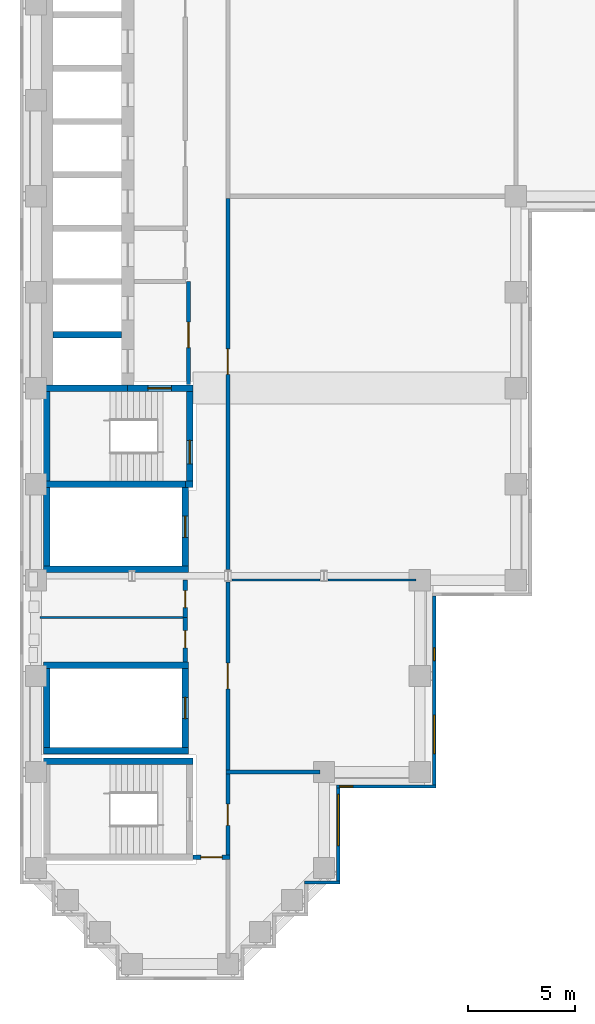
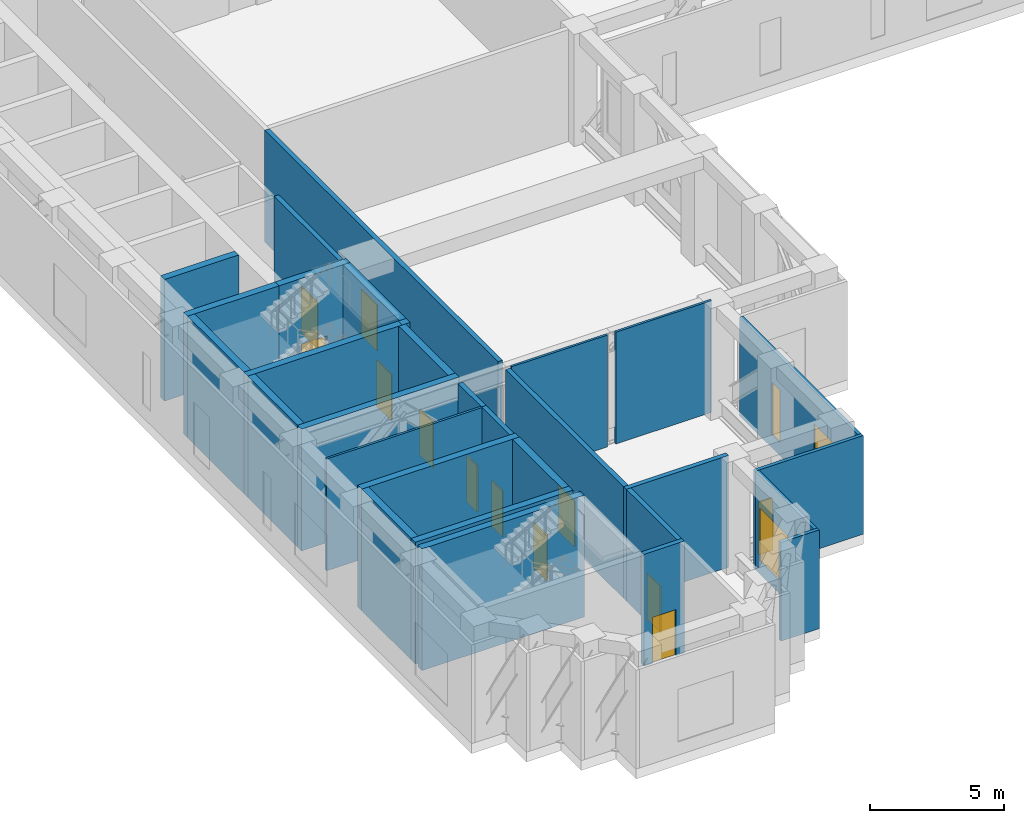
# One storey, part 5 of 14: 30 walls, 11 doors, 4 windows, 15 openings.
"""IFC4 building model written with IfcOpenShell, lengths in metres."""

from ifc_helpers import new_model, si_unit, direction, frame, frame_2d, origin, place, context, subcontext, project, spatial, rectangle, extrude, material, layer, layer_set, type_object, element, fill, save


model = new_model("IFC4")

# Units and contexts
model_context = context("Model", 3, precision=1e-05, world=origin(), true_north=direction((0.0, 1.0)))
body_context = subcontext(model_context, "Body", "Model", "MODEL_VIEW")
ifc_project = project(units=[si_unit("LENGTHUNIT", "METRE"), si_unit("AREAUNIT", "SQUARE_METRE"), si_unit("VOLUMEUNIT", "CUBIC_METRE"), si_unit("PLANEANGLEUNIT", "RADIAN"), si_unit("MASSUNIT", "GRAM", prefix="KILO")], contexts=[model_context])

# Site, building, storey
site_placement = place(None, origin())
site = spatial("IfcSite", under=ifc_project, at=site_placement, CompositionType="ELEMENT")
building_placement = place(site_placement, origin())
building = spatial("IfcBuilding", under=site, at=building_placement, Name="Firuza Court", CompositionType="ELEMENT")
storey_placement = place(building_placement, frame((0.0, 0.0, 173.60009765625)))
storey = spatial("IfcBuildingStorey", under=building, at=storey_placement, Name="L44", CompositionType="ELEMENT", Elevation=173.60009765625)

# Walls
ifc_material_1 = material(Name="Moisture-resistant gypsum board partition")
ifc_layer_1 = layer(ifc_material_1, 0.10009765625)
ifc_layer_set_1 = layer_set([ifc_layer_1], Name="Moisture-resistant gypsum board partition")
wall_type_1 = type_object("IfcWallType", Name="Bathroom partition 100", PredefinedType="PLUMBINGWALL", material=ifc_layer_set_1)
wall_1_placement = place(storey_placement, frame((0.19140625, 16.25, 0.0), z_axis=(0.0, 0.0, 1.0), x_axis=(1.0, 0.0, 0.0)))
element("IfcWall", 1, at=wall_1_placement, inside=storey, type_object=wall_type_1, Name="Bathroom partition 100 L44", PredefinedType="PLUMBINGWALL", context=body_context, shape_type="SweptSolid", body=[
    extrude(rectangle(XDim=6.70849609375, YDim=0.10009765625, at=frame_2d((3.354248046875, 0.0))), origin(), (0.0, 0.0, 1.0), 5.099853515625),
])
ifc_material_2 = material(Name="Concrete C60/75", Category="concrete")
ifc_layer_2 = layer(ifc_material_2, 0.300048828125)
ifc_layer_set_2 = layer_set([ifc_layer_2], Name="Concrete C60/75")
wall_type_2 = type_object("IfcWallType", Name="Core wall 300 C60/75", PredefinedType="SHEAR", material=ifc_layer_set_2)
wall_2_placement = place(storey_placement, frame((0.35009765625, 9.5, -0.4501953125), z_axis=(0.0, 0.0, 1.0), x_axis=(1.0, 0.0, 0.0)))
element("IfcWall", 2, at=wall_2_placement, inside=storey, type_object=wall_type_2, Name="Core wall stair L44", PredefinedType="SHEAR", context=body_context, shape_type="SweptSolid", body=[
    extrude(rectangle(XDim=7.0, YDim=0.300048828125, at=frame_2d((3.5, 0.0))), origin(), (0.0, 0.0, 1.0), 5.550048828125),
])
for number, where, z_axis, x_axis, name in (
    (3, (0.35009765625, 10.0, -0.4501953125), (0.0, 0.0, 1.0), (1.0, 0.0, 0.0), "Core wall riser L44"),
    (4, (0.35009765625, 14.0, -0.4501953125), (0.0, 0.0, 1.0), (1.0, 0.0, 0.0), "Core wall riser L44"),
    (5, (0.35009765625, 18.5, -0.4501953125), (0.0, 0.0, 1.0), (1.0, 0.0, 0.0), "Core wall riser L44"),
):
    element("IfcWall", number, at=place(storey_placement, frame(where, z_axis=z_axis, x_axis=x_axis)), inside=storey, type_object=wall_type_2, Name=name, PredefinedType="SHEAR", context=body_context, shape_type="SweptSolid", body=[
        extrude(rectangle(XDim=6.7998046875, YDim=0.300048828125, at=frame_2d((3.39990234375, 0.0))), origin(), (0.0, 0.0, 1.0), 5.550048828125),
    ])
wall_3_placement = place(storey_placement, frame((0.35009765625, 22.5, -0.4501953125), z_axis=(0.0, 0.0, 1.0), x_axis=(1.0, 0.0, 0.0)))
element("IfcWall", 6, at=wall_3_placement, inside=storey, type_object=wall_type_2, Name="Core wall riser L44", PredefinedType="SHEAR", context=body_context, shape_type="SweptSolid", body=[
    extrude(rectangle(XDim=6.64990234375, YDim=0.300048828125, at=frame_2d((3.324951171875, 0.0))), origin(), (0.0, 0.0, 1.0), 5.550048828125),
])
wall_4_placement = place(storey_placement, frame((0.35009765625, 27.0, -0.4501953125), z_axis=(0.0, 0.0, 1.0), x_axis=(1.0, 0.0, 0.0)))
element("IfcWall", 7, at=wall_4_placement, inside=storey, type_object=wall_type_2, Name="Core wall lift shaft L44", PredefinedType="SHEAR", context=body_context, shape_type="SweptSolid", body=[
    extrude(rectangle(XDim=3.949951171875, YDim=0.300048828125, at=frame_2d((1.97509765625, 0.0))), origin(), (0.0, 0.0, 1.0), 5.550048828125),
])
for number, where, z_axis, x_axis, name in (
    (8, (0.5, 10.14990234375, -0.4501953125), (0.0, 0.0, 1.0), (0.0, 1.0, 0.0), "Core wall riser L44"),
    (9, (0.5, 18.64990234375, -0.4501953125), (0.0, 0.0, 1.0), (0.0, 1.0, 0.0), "Core wall riser L44"),
):
    element("IfcWall", number, at=place(storey_placement, frame(where, z_axis=z_axis, x_axis=x_axis)), inside=storey, type_object=wall_type_2, Name=name, PredefinedType="SHEAR", context=body_context, shape_type="SweptSolid", body=[
        extrude(rectangle(XDim=3.7001953125, YDim=0.300048828125, at=frame_2d((1.85009765625, 0.0))), origin(), (0.0, 0.0, 1.0), 5.550048828125),
    ])
wall_5_placement = place(storey_placement, frame((0.5, 22.64990234375, -0.4501953125), z_axis=(0.0, 0.0, 1.0), x_axis=(0.0, 1.0, 0.0)))
element("IfcWall", 10, at=wall_5_placement, inside=storey, type_object=wall_type_2, Name="Core wall stair L44", PredefinedType="SHEAR", context=body_context, shape_type="SweptSolid", body=[
    extrude(rectangle(XDim=4.2001953125, YDim=0.300048828125, at=frame_2d((2.10009765625, 0.0))), origin(), (0.0, 0.0, 1.0), 5.550048828125),
])
wall_6_placement = place(storey_placement, frame((0.800048828125, 29.5, -0.4501953125), z_axis=(0.0, 0.0, 1.0), x_axis=(1.0, 0.0, 0.0)))
element("IfcWall", 11, at=wall_6_placement, inside=storey, type_object=wall_type_2, Name="Core wall lift shaft L44", PredefinedType="SHEAR", context=body_context, shape_type="SweptSolid", body=[
    extrude(rectangle(XDim=3.199951171875, YDim=0.300048828125, at=frame_2d((1.60009765625, 0.0))), origin(), (0.0, 0.0, 1.0), 5.550048828125),
])

# Wall, opening, door
wall_7_placement = place(storey_placement, frame((4.300048828125, 27.0, -0.4501953125), z_axis=(0.0, 0.0, 1.0), x_axis=(1.0, 0.0, 0.0)))
wall_7 = element("IfcWall", 12, at=wall_7_placement, inside=storey, type_object=wall_type_2, Name="Core wall stair L44", PredefinedType="SHEAR", context=body_context, shape_type="SweptSolid", body=[
    extrude(rectangle(XDim=3.050048828125, YDim=0.300048828125, at=frame_2d((1.52490234375, 0.0))), origin(), (0.0, 0.0, 1.0), 5.550048828125),
])
opening_1_placement = place(wall_7_placement, frame((0.949951171875, 0.0, 0.449951171875)))
opening_1 = element("IfcOpeningElement", 13, at=opening_1_placement, cuts=wall_7, Name="Opening D44013", PredefinedType="OPENING", context=body_context, shape_type="SweptSolid", body=[
    extrude(rectangle(XDim=1.10009765625, YDim=2.10009765625, at=frame_2d((0.550048828125, 1.050048828125))), frame((0.0, 0.162109375, 0.0), z_axis=(0.0, -1.0, 0.0), x_axis=(1.0, 0.0, 0.0)), (0.0, 0.0, 1.0), 0.323974609375),
])
ifc_material_3 = material(Name="Timber door leaf in hardwood frame", Category="wood")
door_type_1 = type_object("IfcDoorType", Name="Stair door 1100", OperationType="SINGLE_SWING_LEFT", PredefinedType="DOOR", material=ifc_material_3)
door_1_placement = place(opening_1_placement, frame((1.10009765625, 0.0, 0.0), z_axis=(0.0, 0.0, 1.0), x_axis=(-1.0, 0.0, 0.0)))
door_1 = element("IfcDoor", 14, at=door_1_placement, inside=storey, type_object=door_type_1, Name="Fire-fighting lobby door", OperationType="SINGLE_SWING_LEFT", OverallHeight=2.10009765625, OverallWidth=1.10009765625, PredefinedType="DOOR", context=body_context, shape_type="SweptSolid", body=[
    extrude(rectangle(XDim=1.10009765625, YDim=2.10009765625, at=frame_2d((0.550048828125, 1.050048828125))), frame((0.0, 0.02490234375, 0.0), z_axis=(0.0, -1.0, 0.0), x_axis=(1.0, 0.0, 0.0)), (0.0, 0.0, 1.0), 0.050048828125),
])
fill(opening_1, door_1)

wall_8_placement = place(storey_placement, frame((7.0, 10.14990234375, -0.4501953125), z_axis=(0.0, 0.0, 1.0), x_axis=(0.0, 1.0, 0.0)))
wall_8 = element("IfcWall", 15, at=wall_8_placement, inside=storey, type_object=wall_type_2, Name="Core wall riser L44", PredefinedType="SHEAR", context=body_context, shape_type="SweptSolid", body=[
    extrude(rectangle(XDim=3.7001953125, YDim=0.300048828125, at=frame_2d((1.85009765625, 0.0))), origin(), (0.0, 0.0, 1.0), 5.550048828125),
])
opening_2_placement = place(wall_8_placement, frame((1.35009765625, 0.0, 0.449951171875)))
opening_2 = element("IfcOpeningElement", 16, at=opening_2_placement, cuts=wall_8, Name="Opening D44011", PredefinedType="OPENING", context=body_context, shape_type="SweptSolid", body=[
    extrude(rectangle(XDim=1.0, YDim=2.10009765625, at=frame_2d((0.5, 1.050048828125))), frame((0.0, 0.162109375, 0.0), z_axis=(0.0, -1.0, 0.0), x_axis=(1.0, 0.0, 0.0)), (0.0, 0.0, 1.0), 0.323974609375),
])
ifc_material_4 = material(Name="Timber door leaf in hardwood frame", Category="wood")
door_type_2 = type_object("IfcDoorType", Name="Riser door 1000", OperationType="SINGLE_SWING_LEFT", PredefinedType="DOOR", material=ifc_material_4)
door_2_placement = place(opening_2_placement, origin())
door_2 = element("IfcDoor", 17, at=door_2_placement, inside=storey, type_object=door_type_2, Name="Riser door R4", OperationType="SINGLE_SWING_LEFT", OverallHeight=2.10009765625, OverallWidth=1.0, PredefinedType="DOOR", context=body_context, shape_type="SweptSolid", body=[
    extrude(rectangle(XDim=1.0, YDim=2.10009765625, at=frame_2d((0.5, 1.050048828125))), frame((0.0, 0.02490234375, 0.0), z_axis=(0.0, -1.0, 0.0), x_axis=(1.0, 0.0, 0.0)), (0.0, 0.0, 1.0), 0.050048828125),
])
fill(opening_2, door_2)

wall_9_placement = place(storey_placement, frame((7.0, 18.64990234375, -0.4501953125), z_axis=(0.0, 0.0, 1.0), x_axis=(0.0, 1.0, 0.0)))
wall_9 = element("IfcWall", 18, at=wall_9_placement, inside=storey, type_object=wall_type_2, Name="Core wall riser L44", PredefinedType="SHEAR", context=body_context, shape_type="SweptSolid", body=[
    extrude(rectangle(XDim=3.7001953125, YDim=0.300048828125, at=frame_2d((1.85009765625, 0.0))), origin(), (0.0, 0.0, 1.0), 5.550048828125),
])
opening_3_placement = place(wall_9_placement, frame((1.35009765625, 0.0, 0.449951171875)))
opening_3 = element("IfcOpeningElement", 19, at=opening_3_placement, cuts=wall_9, Name="Opening D44009", PredefinedType="OPENING", context=body_context, shape_type="SweptSolid", body=[
    extrude(rectangle(XDim=1.0, YDim=2.10009765625, at=frame_2d((0.5, 1.050048828125))), frame((0.0, 0.162109375, 0.0), z_axis=(0.0, -1.0, 0.0), x_axis=(1.0, 0.0, 0.0)), (0.0, 0.0, 1.0), 0.323974609375),
])
door_3_placement = place(opening_3_placement, origin())
door_3 = element("IfcDoor", 20, at=door_3_placement, inside=storey, type_object=door_type_2, Name="Riser door R1", OperationType="SINGLE_SWING_LEFT", OverallHeight=2.10009765625, OverallWidth=1.0, PredefinedType="DOOR", context=body_context, shape_type="SweptSolid", body=[
    extrude(rectangle(XDim=1.0, YDim=2.10009765625, at=frame_2d((0.5, 1.050048828125))), frame((0.0, 0.02490234375, 0.0), z_axis=(0.0, -1.0, 0.0), x_axis=(1.0, 0.0, 0.0)), (0.0, 0.0, 1.0), 0.050048828125),
])
fill(opening_3, door_3)

# Wall
wall_10_placement = place(storey_placement, frame((7.0, 22.5, -0.4501953125), z_axis=(0.0, 0.0, 1.0), x_axis=(1.0, 0.0, 0.0)))
element("IfcWall", 21, at=wall_10_placement, inside=storey, type_object=wall_type_2, Name="Core wall stair L44", PredefinedType="SHEAR", context=body_context, shape_type="SweptSolid", body=[
    extrude(rectangle(XDim=0.35009765625, YDim=0.300048828125, at=frame_2d((0.175048828125, 0.0))), origin(), (0.0, 0.0, 1.0), 5.550048828125),
])

# Wall, opening, door
wall_11_placement = place(storey_placement, frame((7.199951171875, 22.64990234375, -0.4501953125), z_axis=(0.0, 0.0, 1.0), x_axis=(0.0, 1.0, 0.0)))
wall_11 = element("IfcWall", 22, at=wall_11_placement, inside=storey, type_object=wall_type_2, Name="Core wall stair L44", PredefinedType="SHEAR", context=body_context, shape_type="SweptSolid", body=[
    extrude(rectangle(XDim=4.2001953125, YDim=0.300048828125, at=frame_2d((2.10009765625, 0.0))), origin(), (0.0, 0.0, 1.0), 5.550048828125),
])
opening_4_placement = place(wall_11_placement, frame((0.800048828125, 0.0, 0.449951171875)))
opening_4 = element("IfcOpeningElement", 23, at=opening_4_placement, cuts=wall_11, Name="Opening D44014", PredefinedType="OPENING", context=body_context, shape_type="SweptSolid", body=[
    extrude(rectangle(XDim=1.10009765625, YDim=2.10009765625, at=frame_2d((0.550048828125, 1.050048828125))), frame((0.0, 0.162109375, 0.0), z_axis=(0.0, -1.0, 0.0), x_axis=(1.0, 0.0, 0.0)), (0.0, 0.0, 1.0), 0.323974609375),
])
door_4_placement = place(opening_4_placement, origin())
door_4 = element("IfcDoor", 24, at=door_4_placement, inside=storey, type_object=door_type_1, Name="Stair door S2", OperationType="SINGLE_SWING_LEFT", OverallHeight=2.10009765625, OverallWidth=1.10009765625, PredefinedType="DOOR", context=body_context, shape_type="SweptSolid", body=[
    extrude(rectangle(XDim=1.10009765625, YDim=2.10009765625, at=frame_2d((0.550048828125, 1.050048828125))), frame((0.0, 0.02490234375, 0.0), z_axis=(0.0, -1.0, 0.0), x_axis=(1.0, 0.0, 0.0)), (0.0, 0.0, 1.0), 0.050048828125),
])
fill(opening_4, door_4)

ifc_material_5 = material(Name="Blockwork, plastered both sides", Category="masonry")
ifc_layer_3 = layer(ifc_material_5, 0.199951171875)
ifc_layer_set_3 = layer_set([ifc_layer_3], Name="Blockwork, plastered both sides")
wall_type_3 = type_object("IfcWallType", Name="Corridor wall 200", PredefinedType="PARTITIONING", material=ifc_layer_set_3)
wall_12_placement = place(storey_placement, frame((9.0, 9.10009765625, 0.0), z_axis=(0.0, 0.0, 1.0), x_axis=(0.0, 1.0, 0.0)))
wall_12 = element("IfcWall", 25, at=wall_12_placement, inside=storey, type_object=wall_type_3, Name="Corridor wall 200 L44", PredefinedType="PARTITIONING", context=body_context, shape_type="SweptSolid", body=[
    extrude(rectangle(XDim=8.806396484375, YDim=0.199951171875, at=frame_2d((4.4033203125, 0.0))), origin(), (0.0, 0.0, 1.0), 5.099853515625),
])
opening_5_placement = place(wall_12_placement, frame((3.80322265625, 0.0, 0.0)))
opening_5 = element("IfcOpeningElement", 26, at=opening_5_placement, cuts=wall_12, Name="Opening D44020", PredefinedType="OPENING", context=body_context, shape_type="SweptSolid", body=[
    extrude(rectangle(XDim=1.199951171875, YDim=2.10009765625, at=frame_2d((0.60009765625, 1.050048828125))), frame((0.0, 0.11181640625, 0.0), z_axis=(0.0, -1.0, 0.0), x_axis=(1.0, 0.0, 0.0)), (0.0, 0.0, 1.0), 0.223876953125),
])
ifc_material_6 = material(Name="Timber door leaf in hardwood frame", Category="wood")
door_type_3 = type_object("IfcDoorType", Name="Lobby door 1200", OperationType="SINGLE_SWING_LEFT", PredefinedType="DOOR", material=ifc_material_6)
door_5_placement = place(opening_5_placement, frame((1.199951171875, 0.0, 0.0), z_axis=(0.0, 0.0, 1.0), x_axis=(-1.0, 0.0, 0.0)))
door_5 = element("IfcDoor", 27, at=door_5_placement, inside=storey, type_object=door_type_3, Name="Lobby door", OperationType="SINGLE_SWING_RIGHT", OverallHeight=2.10009765625, OverallWidth=1.199951171875, PredefinedType="DOOR", context=body_context, shape_type="SweptSolid", body=[
    extrude(rectangle(XDim=1.199951171875, YDim=2.10009765625, at=frame_2d((0.60009765625, 1.050048828125))), frame((0.0, 0.02490234375, 0.0), z_axis=(0.0, -1.0, 0.0), x_axis=(1.0, 0.0, 0.0)), (0.0, 0.0, 1.0), 0.050048828125),
])
fill(opening_5, door_5)

wall_13_placement = place(storey_placement, frame((7.0, 16.25, 0.0), z_axis=(0.0, 0.0, 1.0), x_axis=(0.0, -1.0, 0.0)))
wall_13 = element("IfcWall", 28, at=wall_13_placement, inside=storey, type_object=wall_type_3, Name="Corridor wall 200 L44", PredefinedType="PARTITIONING", context=body_context, shape_type="SweptSolid", body=[
    extrude(rectangle(XDim=2.10009765625, YDim=0.199951171875, at=frame_2d((1.050048828125, 0.0))), origin(), (0.0, 0.0, 1.0), 5.099853515625),
])
opening_6_placement = place(wall_13_placement, frame((0.625, 0.0, 0.0)))
opening_6 = element("IfcOpeningElement", 29, at=opening_6_placement, cuts=wall_13, Name="Opening D44021", PredefinedType="OPENING", context=body_context, shape_type="SweptSolid", body=[
    extrude(rectangle(XDim=0.800048828125, YDim=2.10009765625, at=frame_2d((0.39990234375, 1.050048828125))), frame((0.0, 0.11181640625, 0.0), z_axis=(0.0, -1.0, 0.0), x_axis=(1.0, 0.0, 0.0)), (0.0, 0.0, 1.0), 0.223876953125),
])
ifc_material_7 = material(Name="Timber door leaf in hardwood frame", Category="wood")
door_type_4 = type_object("IfcDoorType", Name="Room door 800 EI 30", OperationType="SINGLE_SWING_LEFT", PredefinedType="DOOR", material=ifc_material_7)
door_6_placement = place(opening_6_placement, frame((0.800048828125, 0.0, 0.0), z_axis=(0.0, 0.0, 1.0), x_axis=(-1.0, 0.0, 0.0)))
door_6 = element("IfcDoor", 30, at=door_6_placement, inside=storey, type_object=door_type_4, Name="Room door", OperationType="SINGLE_SWING_RIGHT", OverallHeight=2.10009765625, OverallWidth=0.800048828125, PredefinedType="DOOR", context=body_context, shape_type="SweptSolid", body=[
    extrude(rectangle(XDim=0.800048828125, YDim=2.10009765625, at=frame_2d((0.39990234375, 1.050048828125))), frame((0.0, 0.02490234375, 0.0), z_axis=(0.0, -1.0, 0.0), x_axis=(1.0, 0.0, 0.0)), (0.0, 0.0, 1.0), 0.050048828125),
])
fill(opening_6, door_6)

wall_14_placement = place(storey_placement, frame((9.0, 18.490478515625, 0.0), z_axis=(0.0, 0.0, 1.0), x_axis=(0.0, 1.0, 0.0)))
wall_14 = element("IfcWall", 31, at=wall_14_placement, inside=storey, type_object=wall_type_3, Name="Corridor wall 200 L44", PredefinedType="PARTITIONING", context=body_context, shape_type="SweptSolid", body=[
    extrude(rectangle(XDim=17.409423828125, YDim=0.199951171875, at=frame_2d((8.70458984375, 0.0))), origin(), (0.0, 0.0, 1.0), 5.099853515625),
])
opening_7_placement = place(wall_14_placement, frame((9.15478515625, 0.0, 0.0)))
opening_7 = element("IfcOpeningElement", 32, at=opening_7_placement, cuts=wall_14, Name="Opening D44022", PredefinedType="OPENING", context=body_context, shape_type="SweptSolid", body=[
    extrude(rectangle(XDim=1.199951171875, YDim=2.10009765625, at=frame_2d((0.60009765625, 1.050048828125))), frame((0.0, 0.11181640625, 0.0), z_axis=(0.0, -1.0, 0.0), x_axis=(1.0, 0.0, 0.0)), (0.0, 0.0, 1.0), 0.223876953125),
])
door_7_placement = place(opening_7_placement, frame((1.199951171875, 0.0, 0.0), z_axis=(0.0, 0.0, 1.0), x_axis=(-1.0, 0.0, 0.0)))
door_7 = element("IfcDoor", 33, at=door_7_placement, inside=storey, type_object=door_type_3, Name="Lobby door", OperationType="SINGLE_SWING_RIGHT", OverallHeight=2.10009765625, OverallWidth=1.199951171875, PredefinedType="DOOR", context=body_context, shape_type="SweptSolid", body=[
    extrude(rectangle(XDim=1.199951171875, YDim=2.10009765625, at=frame_2d((0.60009765625, 1.050048828125))), frame((0.0, 0.02490234375, 0.0), z_axis=(0.0, -1.0, 0.0), x_axis=(1.0, 0.0, 0.0)), (0.0, 0.0, 1.0), 0.050048828125),
])
fill(opening_7, door_7)

wall_15_placement = place(storey_placement, frame((7.0, 18.006103515625, 0.0), z_axis=(0.0, 0.0, 1.0), x_axis=(0.0, -1.0, 0.0)))
wall_15 = element("IfcWall", 34, at=wall_15_placement, inside=storey, type_object=wall_type_3, Name="Corridor wall 200 L44", PredefinedType="PARTITIONING", context=body_context, shape_type="SweptSolid", body=[
    extrude(rectangle(XDim=1.756103515625, YDim=0.199951171875, at=frame_2d((0.8779296875, 0.0))), origin(), (0.0, 0.0, 1.0), 5.099853515625),
])
opening_8_placement = place(wall_15_placement, frame((0.5029296875, 0.0, 0.0)))
opening_8 = element("IfcOpeningElement", 35, at=opening_8_placement, cuts=wall_15, Name="Opening D44023", PredefinedType="OPENING", context=body_context, shape_type="SweptSolid", body=[
    extrude(rectangle(XDim=0.800048828125, YDim=2.10009765625, at=frame_2d((0.39990234375, 1.050048828125))), frame((0.0, 0.11181640625, 0.0), z_axis=(0.0, -1.0, 0.0), x_axis=(1.0, 0.0, 0.0)), (0.0, 0.0, 1.0), 0.223876953125),
])
door_8_placement = place(opening_8_placement, frame((0.800048828125, 0.0, 0.0), z_axis=(0.0, 0.0, 1.0), x_axis=(-1.0, 0.0, 0.0)))
door_8 = element("IfcDoor", 36, at=door_8_placement, inside=storey, type_object=door_type_4, Name="Room door", OperationType="SINGLE_SWING_LEFT", OverallHeight=2.10009765625, OverallWidth=0.800048828125, PredefinedType="DOOR", context=body_context, shape_type="SweptSolid", body=[
    extrude(rectangle(XDim=0.800048828125, YDim=2.10009765625, at=frame_2d((0.39990234375, 1.050048828125))), frame((0.0, 0.02490234375, 0.0), z_axis=(0.0, -1.0, 0.0), x_axis=(1.0, 0.0, 0.0)), (0.0, 0.0, 1.0), 0.050048828125),
])
fill(opening_8, door_8)

# Walls
ifc_material_8 = material(Name="Timber stud partition, plasterboard both sides", Category="wood")
ifc_layer_4 = layer(ifc_material_8, 0.10009765625)
ifc_layer_set_4 = layer_set([ifc_layer_4], Name="Timber stud partition, plasterboard both sides")
wall_type_4 = type_object("IfcWallType", Name="Partition wall 100", PredefinedType="PARTITIONING", material=ifc_layer_set_4)
wall_16_placement = place(storey_placement, frame((17.80859375, 18.0, 0.0), z_axis=(0.0, 0.0, 1.0), x_axis=(-1.0, 0.0, 0.0)))
element("IfcWall", 37, at=wall_16_placement, inside=storey, type_object=wall_type_4, Name="Partition wall 100 L44", PredefinedType="PARTITIONING", context=body_context, shape_type="SweptSolid", body=[
    extrude(rectangle(XDim=4.12548828125, YDim=0.10009765625, at=frame_2d((2.062744140625, 0.0))), origin(), (0.0, 0.0, 1.0), 5.099853515625),
])
wall_17_placement = place(storey_placement, frame((13.31689453125, 18.0, 0.0), z_axis=(0.0, 0.0, 1.0), x_axis=(-1.0, 0.0, 0.0)))
element("IfcWall", 38, at=wall_17_placement, inside=storey, type_object=wall_type_4, Name="Partition wall 100 L44", PredefinedType="PARTITIONING", context=body_context, shape_type="SweptSolid", body=[
    extrude(rectangle(XDim=4.1337890625, YDim=0.10009765625, at=frame_2d((2.06689453125, 0.0))), origin(), (0.0, 0.0, 1.0), 5.099853515625),
])

# Wall, opening, door
ifc_material_9 = material(Name="Blockwork, fire-rated", Category="masonry")
ifc_layer_5 = layer(ifc_material_9, 0.199951171875)
ifc_layer_set_5 = layer_set([ifc_layer_5], Name="Blockwork, fire-rated")
wall_type_5 = type_object("IfcWallType", Name="Plant room wall 200", PredefinedType="PARTITIONING", material=ifc_layer_set_5)
wall_18_placement = place(storey_placement, frame((7.35009765625, 5.0, 0.0), z_axis=(0.0, 0.0, 1.0), x_axis=(1.0, 0.0, 0.0)))
wall_18 = element("IfcWall", 39, at=wall_18_placement, inside=storey, type_object=wall_type_5, Name="Plant room wall 200 L44", PredefinedType="PARTITIONING", context=body_context, shape_type="SweptSolid", body=[
    extrude(rectangle(XDim=1.75, YDim=0.199951171875, at=frame_2d((0.875, 0.0))), origin(), (0.0, 0.0, 1.0), 5.099853515625),
])
opening_9_placement = place(wall_18_placement, frame((0.375, 0.0, 0.0)))
opening_9 = element("IfcOpeningElement", 40, at=opening_9_placement, cuts=wall_18, Name="Opening D44018", PredefinedType="OPENING", context=body_context, shape_type="SweptSolid", body=[
    extrude(rectangle(XDim=1.0, YDim=2.10009765625, at=frame_2d((0.5, 1.050048828125))), frame((0.0, 0.11181640625, 0.0), z_axis=(0.0, -1.0, 0.0), x_axis=(1.0, 0.0, 0.0)), (0.0, 0.0, 1.0), 0.223876953125),
])
ifc_material_10 = material(Name="Timber door leaf in hardwood frame", Category="wood")
door_type_5 = type_object("IfcDoorType", Name="Store door 1000", OperationType="SINGLE_SWING_LEFT", PredefinedType="DOOR", material=ifc_material_10)
door_9_placement = place(opening_9_placement, frame((1.0, 0.0, 0.0), z_axis=(0.0, 0.0, 1.0), x_axis=(-1.0, 0.0, 0.0)))
door_9 = element("IfcDoor", 41, at=door_9_placement, inside=storey, type_object=door_type_5, Name="Store door", OperationType="SINGLE_SWING_LEFT", OverallHeight=2.10009765625, OverallWidth=1.0, PredefinedType="DOOR", context=body_context, shape_type="SweptSolid", body=[
    extrude(rectangle(XDim=1.0, YDim=2.10009765625, at=frame_2d((0.5, 1.050048828125))), frame((0.0, 0.02490234375, 0.0), z_axis=(0.0, -1.0, 0.0), x_axis=(1.0, 0.0, 0.0)), (0.0, 0.0, 1.0), 0.050048828125),
])
fill(opening_9, door_9)

wall_19_placement = place(storey_placement, frame((9.0, 5.10009765625, 0.0), z_axis=(0.0, 0.0, 1.0), x_axis=(0.0, 1.0, 0.0)))
wall_19 = element("IfcWall", 42, at=wall_19_placement, inside=storey, type_object=wall_type_5, Name="Plant room wall 200 L44", PredefinedType="PARTITIONING", context=body_context, shape_type="SweptSolid", body=[
    extrude(rectangle(XDim=3.7998046875, YDim=0.199951171875, at=frame_2d((1.89990234375, 0.0))), origin(), (0.0, 0.0, 1.0), 5.099853515625),
])
opening_10_placement = place(wall_19_placement, frame((1.39990234375, 0.0, 0.0)))
opening_10 = element("IfcOpeningElement", 43, at=opening_10_placement, cuts=wall_19, Name="Opening D44019", PredefinedType="OPENING", context=body_context, shape_type="SweptSolid", body=[
    extrude(rectangle(XDim=1.0, YDim=2.10009765625, at=frame_2d((0.5, 1.050048828125))), frame((0.0, 0.11181640625, 0.0), z_axis=(0.0, -1.0, 0.0), x_axis=(1.0, 0.0, 0.0)), (0.0, 0.0, 1.0), 0.223876953125),
])
door_10_placement = place(opening_10_placement, frame((1.0, 0.0, 0.0), z_axis=(0.0, 0.0, 1.0), x_axis=(-1.0, 0.0, 0.0)))
door_10 = element("IfcDoor", 44, at=door_10_placement, inside=storey, type_object=door_type_5, Name="Store door", OperationType="SINGLE_SWING_LEFT", OverallHeight=2.10009765625, OverallWidth=1.0, PredefinedType="DOOR", context=body_context, shape_type="SweptSolid", body=[
    extrude(rectangle(XDim=1.0, YDim=2.10009765625, at=frame_2d((0.5, 1.050048828125))), frame((0.0, 0.02490234375, 0.0), z_axis=(0.0, -1.0, 0.0), x_axis=(1.0, 0.0, 0.0)), (0.0, 0.0, 1.0), 0.050048828125),
])
fill(opening_10, door_10)

# Walls
wall_20_placement = place(storey_placement, frame((13.30859375, 9.0, 0.0), z_axis=(0.0, 0.0, 1.0), x_axis=(-1.0, 0.0, 0.0)))
element("IfcWall", 45, at=wall_20_placement, inside=storey, type_object=wall_type_5, Name="Plant room wall 200 L44", PredefinedType="PARTITIONING", context=body_context, shape_type="SweptSolid", body=[
    extrude(rectangle(XDim=4.40869140625, YDim=0.199951171875, at=frame_2d((2.204345703125, 0.0))), origin(), (0.0, 0.0, 1.0), 5.099853515625),
])
ifc_material_11 = material(Name="Ceramic tile", Category="ceramic")
ifc_layer_6 = layer(ifc_material_11, 0.02001953125)
ifc_material_12 = material(Name="Mineral wool insulation", Category="insulation")
ifc_layer_7 = layer(ifc_material_12, 0.050048828125)
ifc_material_13 = material(Name="Concrete C40/50 precast", Category="concrete")
ifc_layer_8 = layer(ifc_material_13, 0.080078125)
ifc_layer_set_6 = layer_set([ifc_layer_6, ifc_layer_7, ifc_layer_8], Name="Concrete C40/50 precast")
wall_type_6 = type_object("IfcWallType", Name="Precast cladding wall with turquoise TILE PANEL face 150", PredefinedType="STANDARD", material=ifc_layer_set_6)
wall_21_placement = place(storey_placement, frame((12.60009765625, 3.824951171875, 0.0), z_axis=(0.0, 0.0, 1.0), x_axis=(1.0, 0.0, 0.0)))
element("IfcWall", 46, at=wall_21_placement, inside=storey, type_object=wall_type_6, Name="Facade wall L44 S", PredefinedType="STANDARD", context=body_context, shape_type="SweptSolid", body=[
    extrude(rectangle(XDim=1.64990234375, YDim=0.14990234375, at=frame_2d((0.824951171875, 0.0))), origin(), (0.0, 0.0, 1.0), 4.5),
])

# Wall, opening, window
wall_22_placement = place(storey_placement, frame((14.175048828125, 3.89990234375, 0.0), z_axis=(0.0, 0.0, 1.0), x_axis=(0.0, 1.0, 0.0)))
wall_22 = element("IfcWall", 47, at=wall_22_placement, inside=storey, type_object=wall_type_6, Name="Facade wall L44 E", PredefinedType="STANDARD", context=body_context, shape_type="SweptSolid", body=[
    extrude(rectangle(XDim=4.35009765625, YDim=0.14990234375, at=frame_2d((2.175048828125, 0.0))), origin(), (0.0, 0.0, 1.0), 4.5),
])
opening_11_placement = place(wall_22_placement, frame((1.64990234375, 0.0, 0.60009765625)))
opening_11 = element("IfcOpeningElement", 48, at=opening_11_placement, cuts=wall_22, Name="Opening LV2", PredefinedType="OPENING", context=body_context, shape_type="SweptSolid", body=[
    extrude(rectangle(XDim=2.39990234375, YDim=2.39990234375, at=frame_2d((1.199951171875, 1.199951171875))), frame((0.0, 0.0869140625, 0.0), z_axis=(0.0, -1.0, 0.0), x_axis=(1.0, 0.0, 0.0)), (0.0, 0.0, 1.0), 0.173828125),
])
ifc_material_14 = material(Name="Aluminium weather louvre with insect mesh", Category="aluminium")
window_type_1 = type_object("IfcWindowType", Name="Plant louvre 2400 x 2400", PartitioningType="SINGLE_PANEL", PredefinedType="USERDEFINED", material=ifc_material_14)
window_1_placement = place(opening_11_placement, origin())
window_1 = element("IfcWindow", 49, at=window_1_placement, inside=storey, type_object=window_type_1, Name="Louvre L44", ObjectType="LOUVRE", OverallHeight=2.39990234375, OverallWidth=2.39990234375, PartitioningType="SINGLE_PANEL", PredefinedType="USERDEFINED", context=body_context, shape_type="SweptSolid", body=[
    extrude(rectangle(XDim=2.39990234375, YDim=2.39990234375, at=frame_2d((1.199951171875, 1.199951171875))), frame((0.0, 0.030029296875, 0.0), z_axis=(0.0, -1.0, 0.0), x_axis=(1.0, 0.0, 0.0)), (0.0, 0.0, 1.0), 0.06005859375),
])
fill(opening_11, window_1)

wall_23_placement = place(storey_placement, frame((14.10009765625, 8.324951171875, 0.0), z_axis=(0.0, 0.0, 1.0), x_axis=(1.0, 0.0, 0.0)))
wall_23 = element("IfcWall", 50, at=wall_23_placement, inside=storey, type_object=wall_type_6, Name="Facade wall L44 S", PredefinedType="STANDARD", context=body_context, shape_type="SweptSolid", body=[
    extrude(rectangle(XDim=4.64990234375, YDim=0.14990234375, at=frame_2d((2.324951171875, 0.0))), origin(), (0.0, 0.0, 1.0), 4.5),
])
opening_12_placement = place(wall_23_placement, frame((0.14501953125, 0.0, 0.60009765625)))
opening_12 = element("IfcOpeningElement", 51, at=opening_12_placement, cuts=wall_23, Name="Opening LV6", PredefinedType="OPENING", context=body_context, shape_type="SweptSolid", body=[
    extrude(rectangle(XDim=0.60009765625, YDim=2.39990234375, at=frame_2d((0.300048828125, 1.199951171875))), frame((0.0, 0.0869140625, 0.0), z_axis=(0.0, -1.0, 0.0), x_axis=(1.0, 0.0, 0.0)), (0.0, 0.0, 1.0), 0.173828125),
])
ifc_material_15 = material(Name="Aluminium weather louvre with insect mesh", Category="aluminium")
window_type_2 = type_object("IfcWindowType", Name="Plant louvre 600 x 2400", PartitioningType="SINGLE_PANEL", PredefinedType="USERDEFINED", material=ifc_material_15)
window_2_placement = place(opening_12_placement, origin())
window_2 = element("IfcWindow", 52, at=window_2_placement, inside=storey, type_object=window_type_2, Name="Louvre L44", ObjectType="LOUVRE", OverallHeight=2.39990234375, OverallWidth=0.60009765625, PartitioningType="SINGLE_PANEL", PredefinedType="USERDEFINED", context=body_context, shape_type="SweptSolid", body=[
    extrude(rectangle(XDim=0.60009765625, YDim=2.39990234375, at=frame_2d((0.300048828125, 1.199951171875))), frame((0.0, 0.030029296875, 0.0), z_axis=(0.0, -1.0, 0.0), x_axis=(1.0, 0.0, 0.0)), (0.0, 0.0, 1.0), 0.06005859375),
])
fill(opening_12, window_2)

# Wall, openings, windows
wall_24_placement = place(storey_placement, frame((18.675048828125, 8.39990234375, 0.0), z_axis=(0.0, 0.0, 1.0), x_axis=(0.0, 1.0, 0.0)))
wall_24 = element("IfcWall", 53, at=wall_24_placement, inside=storey, type_object=wall_type_6, Name="Facade wall L44 E", PredefinedType="STANDARD", context=body_context, shape_type="SweptSolid", body=[
    extrude(rectangle(XDim=8.85009765625, YDim=0.14990234375, at=frame_2d((4.425048828125, 0.0))), origin(), (0.0, 0.0, 1.0), 4.5),
])
opening_13_placement = place(wall_24_placement, frame((1.46728515625, 0.0, 0.60009765625)))
opening_13 = element("IfcOpeningElement", 54, at=opening_13_placement, cuts=wall_24, Name="Opening LV7", PredefinedType="OPENING", context=body_context, shape_type="SweptSolid", body=[
    extrude(rectangle(XDim=1.800048828125, YDim=2.39990234375, at=frame_2d((0.89990234375, 1.199951171875))), frame((0.0, 0.0869140625, 0.0), z_axis=(0.0, -1.0, 0.0), x_axis=(1.0, 0.0, 0.0)), (0.0, 0.0, 1.0), 0.173828125),
])
opening_14_placement = place(wall_24_placement, frame((5.824951171875, 0.0, 0.60009765625)))
opening_14 = element("IfcOpeningElement", 55, at=opening_14_placement, cuts=wall_24, Name="Opening LV6", PredefinedType="OPENING", context=body_context, shape_type="SweptSolid", body=[
    extrude(rectangle(XDim=0.60009765625, YDim=2.39990234375, at=frame_2d((0.300048828125, 1.199951171875))), frame((0.0, 0.0869140625, 0.0), z_axis=(0.0, -1.0, 0.0), x_axis=(1.0, 0.0, 0.0)), (0.0, 0.0, 1.0), 0.173828125),
])
ifc_material_16 = material(Name="Aluminium weather louvre with insect mesh", Category="aluminium")
window_type_3 = type_object("IfcWindowType", Name="Plant louvre 1800 x 2400", PartitioningType="SINGLE_PANEL", PredefinedType="USERDEFINED", material=ifc_material_16)
window_3_placement = place(opening_13_placement, origin())
window_3 = element("IfcWindow", 56, at=window_3_placement, inside=storey, type_object=window_type_3, Name="Louvre L44", ObjectType="LOUVRE", OverallHeight=2.39990234375, OverallWidth=1.800048828125, PartitioningType="SINGLE_PANEL", PredefinedType="USERDEFINED", context=body_context, shape_type="SweptSolid", body=[
    extrude(rectangle(XDim=1.800048828125, YDim=2.39990234375, at=frame_2d((0.89990234375, 1.199951171875))), frame((0.0, 0.030029296875, 0.0), z_axis=(0.0, -1.0, 0.0), x_axis=(1.0, 0.0, 0.0)), (0.0, 0.0, 1.0), 0.06005859375),
])
fill(opening_13, window_3)
window_4_placement = place(opening_14_placement, origin())
window_4 = element("IfcWindow", 57, at=window_4_placement, inside=storey, type_object=window_type_2, Name="Louvre L44", ObjectType="LOUVRE", OverallHeight=2.39990234375, OverallWidth=0.60009765625, PartitioningType="SINGLE_PANEL", PredefinedType="USERDEFINED", context=body_context, shape_type="SweptSolid", body=[
    extrude(rectangle(XDim=0.60009765625, YDim=2.39990234375, at=frame_2d((0.300048828125, 1.199951171875))), frame((0.0, 0.030029296875, 0.0), z_axis=(0.0, -1.0, 0.0), x_axis=(1.0, 0.0, 0.0)), (0.0, 0.0, 1.0), 0.06005859375),
])
fill(opening_14, window_4)

# Wall, opening, door
ifc_layer_9 = layer(ifc_material_9, 0.199951171875)
ifc_layer_set_7 = layer_set([ifc_layer_9], Name="Blockwork, fire-rated")
wall_type_7 = type_object("IfcWallType", Name="Shaft wall 200", PredefinedType="PARTITIONING", material=ifc_layer_set_7)
wall_25_placement = place(storey_placement, frame((7.14990234375, 27.169921875, 0.0), z_axis=(0.0, 0.0, 1.0), x_axis=(0.0, 1.0, 0.0)))
wall_25 = element("IfcWall", 58, at=wall_25_placement, inside=storey, type_object=wall_type_7, Name="Shaft wall 200 L44", PredefinedType="PARTITIONING", context=body_context, shape_type="SweptSolid", body=[
    extrude(rectangle(XDim=4.830078125, YDim=0.199951171875, at=frame_2d((2.4150390625, 0.0))), origin(), (0.0, 0.0, 1.0), 5.099853515625),
])
opening_15_placement = place(wall_25_placement, frame((1.72998046875, 0.0, 0.0)))
opening_15 = element("IfcOpeningElement", 59, at=opening_15_placement, cuts=wall_25, Name="Opening D44002", PredefinedType="OPENING", context=body_context, shape_type="SweptSolid", body=[
    extrude(rectangle(XDim=1.199951171875, YDim=2.10009765625, at=frame_2d((0.60009765625, 1.050048828125))), frame((0.0, 0.11181640625, 0.0), z_axis=(0.0, -1.0, 0.0), x_axis=(1.0, 0.0, 0.0)), (0.0, 0.0, 1.0), 0.223876953125),
])
door_11_placement = place(opening_15_placement, origin())
door_11 = element("IfcDoor", 60, at=door_11_placement, inside=storey, type_object=door_type_3, Name="Fire-fighting lobby door", OperationType="SINGLE_SWING_LEFT", OverallHeight=2.10009765625, OverallWidth=1.199951171875, PredefinedType="DOOR", context=body_context, shape_type="SweptSolid", body=[
    extrude(rectangle(XDim=1.199951171875, YDim=2.10009765625, at=frame_2d((0.60009765625, 1.050048828125))), frame((0.0, 0.02490234375, 0.0), z_axis=(0.0, -1.0, 0.0), x_axis=(1.0, 0.0, 0.0)), (0.0, 0.0, 1.0), 0.050048828125),
])
fill(opening_15, door_11)

save(model, "model.ifc")
